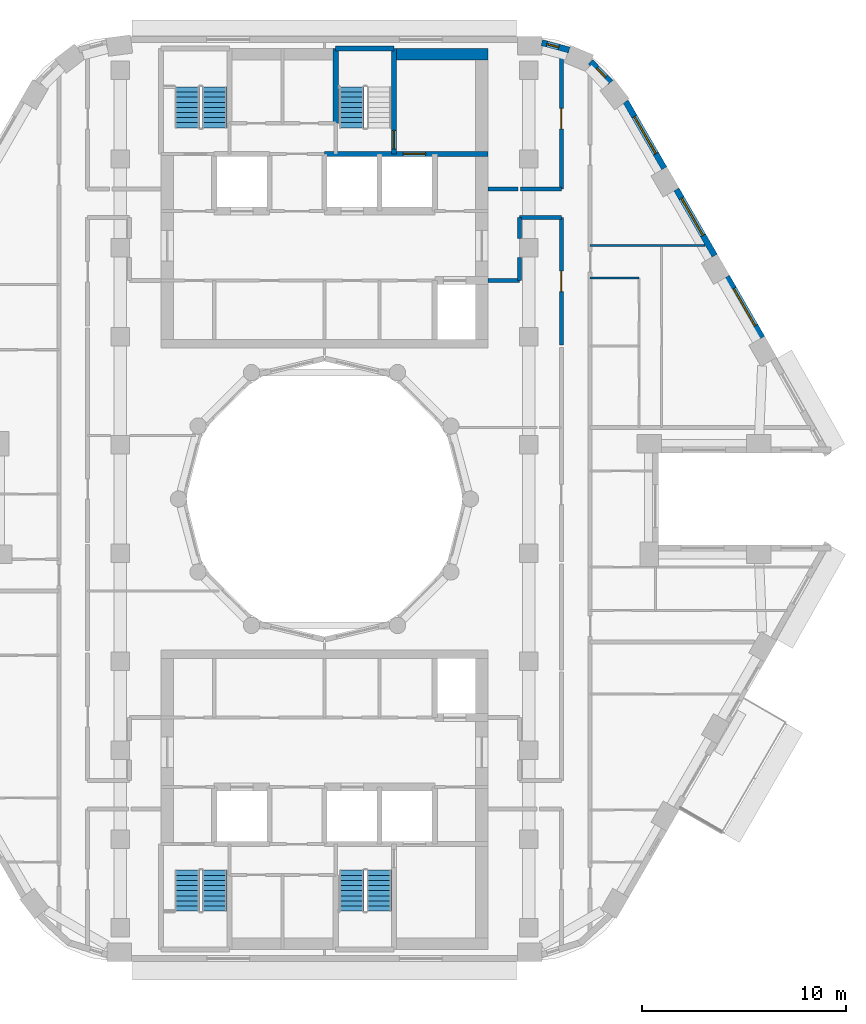
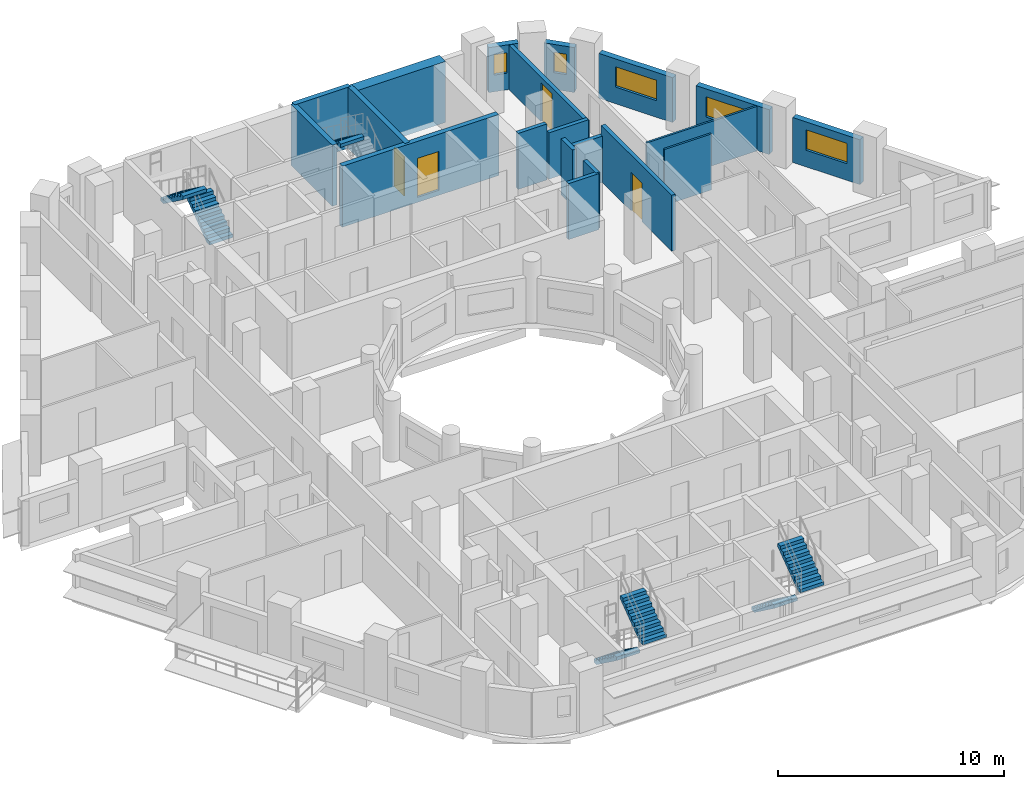
# One storey, part 9 of 16: 20 walls, 7 stair flights, 5 windows, 4 doors, 9 openings, 4 elements without a shape of their own.
"""IFC4 building model written with IfcOpenShell, lengths in metres."""

from ifc_helpers import new_model, si_unit, direction, frame, frame_2d, origin, place, context, subcontext, project, spatial, polyline, rectangle, outline, extrude, material, layer, layer_set, type_object, element, fill, aggregate, save


model = new_model("IFC4")

# Units and contexts
model_context = context("Model", 3, precision=1e-05, world=origin(), true_north=direction((0.0, 1.0)))
body_context = subcontext(model_context, "Body", "Model", "MODEL_VIEW")
ifc_project = project(units=[si_unit("LENGTHUNIT", "METRE"), si_unit("AREAUNIT", "SQUARE_METRE"), si_unit("VOLUMEUNIT", "CUBIC_METRE"), si_unit("PLANEANGLEUNIT", "RADIAN"), si_unit("MASSUNIT", "GRAM", prefix="KILO")], contexts=[model_context])

# Site, building, storey
site_placement = place(None, origin())
site = spatial("IfcSite", under=ifc_project, at=site_placement, CompositionType="ELEMENT")
building_placement = place(site_placement, origin())
building = spatial("IfcBuilding", under=site, at=building_placement, Name="Nakaniwa Court", CompositionType="ELEMENT")
storey_placement = place(building_placement, frame((0.0, 0.0, 193.199951171875)))
storey = spatial("IfcBuildingStorey", under=building, at=storey_placement, Name="L50", CompositionType="ELEMENT", Elevation=193.199951171875)

# Wall, opening, door
ifc_material_1 = material(Name="Acoustic double stud partition")
ifc_layer_1 = layer(ifc_material_1, 0.199951171875)
ifc_layer_set_1 = layer_set([ifc_layer_1], Name="Acoustic double stud partition")
wall_type_1 = type_object("IfcWallType", Name="Acoustic double stud partition 200", PredefinedType="PARTITIONING", material=ifc_layer_set_1)
wall_1_placement = place(storey_placement, frame((91.60009765625, 87.537109375, 0.0), z_axis=(0.0, 0.0, 1.0), x_axis=(0.0, 1.0, 0.0)))
wall_1 = element("IfcWall", 1, at=wall_1_placement, inside=storey, type_object=wall_type_1, Name="Partition PW-073", PredefinedType="PARTITIONING", context=body_context, shape_type="SweptSolid", body=[
    extrude(rectangle(XDim=6.23779296875, YDim=0.199951171875, at=frame_2d((3.118896484375, 0.0))), origin(), (0.0, 0.0, 1.0), 3.025146484375),
])
opening_1_placement = place(wall_1_placement, frame((2.6201171875, 0.0, 0.0)))
opening_1 = element("IfcOpeningElement", 2, at=opening_1_placement, cuts=wall_1, Name="Opening D-02-03", PredefinedType="OPENING", context=body_context, shape_type="SweptSolid", body=[
    extrude(rectangle(XDim=1.0, YDim=2.10009765625, at=frame_2d((0.5, 1.050048828125))), frame((0.0, 0.10986328125, 0.0), z_axis=(0.0, -1.0, 0.0), x_axis=(1.0, 0.0, 0.0)), (0.0, 0.0, 1.0), 0.219970703125),
])
ifc_material_2 = material(Name="Solid core timber door set, black veneer", Category="wood")
door_type_1 = type_object("IfcDoorType", Name="Internal door 1000", OperationType="NOTDEFINED", PredefinedType="DOOR", material=ifc_material_2)
door_1_placement = place(opening_1_placement, origin())
door_1 = element("IfcDoor", 3, at=door_1_placement, inside=storey, type_object=door_type_1, Name="Door D-02-03 L50-036", OperationType="SINGLE_SWING_LEFT", OverallHeight=2.10009765625, OverallWidth=1.0, PredefinedType="DOOR", context=body_context, shape_type="SweptSolid", body=[
    extrude(rectangle(XDim=1.0, YDim=2.10009765625, at=frame_2d((0.5, 1.050048828125))), frame((0.0, 0.02490234375, 0.0), z_axis=(0.0, -1.0, 0.0), x_axis=(1.0, 0.0, 0.0)), (0.0, 0.0, 1.0), 0.050048828125),
])
fill(opening_1, door_1)

wall_2_placement = place(storey_placement, frame((91.60009765625, 95.175048828125, 0.0), z_axis=(0.0, 0.0, 1.0), x_axis=(0.0, 1.0, 0.0)))
wall_2 = element("IfcWall", 4, at=wall_2_placement, inside=storey, type_object=wall_type_1, Name="Partition PW-074", PredefinedType="PARTITIONING", context=body_context, shape_type="SweptSolid", body=[
    extrude(rectangle(XDim=6.898681640625, YDim=0.199951171875, at=frame_2d((3.44921875, 0.0))), origin(), (0.0, 0.0, 1.0), 2.405029296875),
])
opening_2_placement = place(wall_2_placement, frame((2.949951171875, 0.0, 0.0)))
opening_2 = element("IfcOpeningElement", 5, at=opening_2_placement, cuts=wall_2, Name="Opening D-02-04", PredefinedType="OPENING", context=body_context, shape_type="SweptSolid", body=[
    extrude(rectangle(XDim=1.0, YDim=2.10009765625, at=frame_2d((0.5, 1.050048828125))), frame((0.0, 0.10986328125, 0.0), z_axis=(0.0, -1.0, 0.0), x_axis=(1.0, 0.0, 0.0)), (0.0, 0.0, 1.0), 0.219970703125),
])
door_2_placement = place(opening_2_placement, origin())
door_2 = element("IfcDoor", 6, at=door_2_placement, inside=storey, type_object=door_type_1, Name="Door D-02-04 L50-041", OperationType="SINGLE_SWING_RIGHT", OverallHeight=2.10009765625, OverallWidth=1.0, PredefinedType="DOOR", context=body_context, shape_type="SweptSolid", body=[
    extrude(rectangle(XDim=1.0, YDim=2.10009765625, at=frame_2d((0.5, 1.050048828125))), frame((0.0, 0.02490234375, 0.0), z_axis=(0.0, -1.0, 0.0), x_axis=(1.0, 0.0, 0.0)), (0.0, 0.0, 1.0), 0.050048828125),
])
fill(opening_2, door_2)

# Walls
wall_3_placement = place(storey_placement, frame((89.550048828125, 90.699951171875, 0.0), z_axis=(0.0, 0.0, 1.0), x_axis=(0.0, 1.0, 0.0)))
element("IfcWall", 7, at=wall_3_placement, inside=storey, type_object=wall_type_1, Name="Partition PW-084", PredefinedType="PARTITIONING", context=body_context, shape_type="SweptSolid", body=[
    extrude(rectangle(XDim=1.1328125, YDim=0.199951171875, at=frame_2d((0.56640625, 0.0))), origin(), (0.0, 0.0, 1.0), 3.025146484375),
])
wall_4_placement = place(storey_placement, frame((89.550048828125, 92.76708984375, 0.0), z_axis=(0.0, 0.0, 1.0), x_axis=(0.0, 1.0, 0.0)))
element("IfcWall", 8, at=wall_4_placement, inside=storey, type_object=wall_type_1, Name="Partition PW-085", PredefinedType="PARTITIONING", context=body_context, shape_type="SweptSolid", body=[
    extrude(rectangle(XDim=1.0078125, YDim=0.199951171875, at=frame_2d((0.50390625, 0.0))), origin(), (0.0, 0.0, 1.0), 3.025146484375),
])
wall_5_placement = place(storey_placement, frame((89.550048828125, 93.77490234375, 0.0), z_axis=(0.0, 0.0, 1.0), x_axis=(1.0, 0.0, 0.0)))
element("IfcWall", 9, at=wall_5_placement, inside=storey, type_object=wall_type_1, Name="Partition PW-089", PredefinedType="PARTITIONING", context=body_context, shape_type="SweptSolid", body=[
    extrude(rectangle(XDim=2.050048828125, YDim=0.199951171875, at=frame_2d((1.02490234375, 0.0))), origin(), (0.0, 0.0, 1.0), 2.505126953125),
])
wall_6_placement = place(storey_placement, frame((88.0, 90.699951171875, 0.0), z_axis=(0.0, 0.0, 1.0), x_axis=(1.0, 0.0, 0.0)))
element("IfcWall", 10, at=wall_6_placement, inside=storey, type_object=wall_type_1, Name="Partition PW-091", PredefinedType="PARTITIONING", context=body_context, shape_type="SweptSolid", body=[
    extrude(rectangle(XDim=1.550048828125, YDim=0.199951171875, at=frame_2d((0.77490234375, 0.0))), origin(), (0.0, 0.0, 1.0), 3.025146484375),
])
wall_7_placement = place(storey_placement, frame((88.0, 95.175048828125, 0.0), z_axis=(0.0, 0.0, 1.0), x_axis=(1.0, 0.0, 0.0)))
element("IfcWall", 11, at=wall_7_placement, inside=storey, type_object=wall_type_1, Name="Partition PW-094", PredefinedType="PARTITIONING", context=body_context, shape_type="SweptSolid", body=[
    extrude(rectangle(XDim=1.472900390625, YDim=0.199951171875, at=frame_2d((0.736328125, 0.0))), origin(), (0.0, 0.0, 1.0), 3.025146484375),
])
wall_8_placement = place(storey_placement, frame((89.587158203125, 95.175048828125, 0.0), z_axis=(0.0, 0.0, 1.0), x_axis=(1.0, 0.0, 0.0)))
element("IfcWall", 12, at=wall_8_placement, inside=storey, type_object=wall_type_1, Name="Partition PW-095", PredefinedType="PARTITIONING", context=body_context, shape_type="SweptSolid", body=[
    extrude(rectangle(XDim=2.012939453125, YDim=0.199951171875, at=frame_2d((1.00634765625, 0.0))), origin(), (0.0, 0.0, 1.0), 2.505126953125),
])

# Wall, opening, window
ifc_material_3 = material(Name="Charcoal ceramic cladding")
ifc_layer_2 = layer(ifc_material_3, 0.02, Name="Ceramic cladding")
ifc_material_4 = material(Name="Ventilated air cavity")
ifc_layer_3 = layer(ifc_material_4, 0.04, ventilated=True, Name="Ventilated cavity")
ifc_material_5 = material(Name="Mineral wool insulation")
ifc_layer_4 = layer(ifc_material_5, 0.1, Name="Insulation")
ifc_material_6 = material(Name="Cement bonded sheathing board")
ifc_layer_5 = layer(ifc_material_6, 0.012, Name="Sheathing")
ifc_material_7 = material(Name="Cold-formed galvanised stud frame with mineral wool infill")
ifc_layer_6 = layer(ifc_material_7, 0.1, Name="Stud frame")
ifc_material_8 = material(Name="Fire-rated gypsum plasterboard lining")
ifc_layer_7 = layer(ifc_material_8, 0.028, Name="Lining")
ifc_layer_set_2 = layer_set([ifc_layer_2, ifc_layer_3, ifc_layer_4, ifc_layer_5, ifc_layer_6, ifc_layer_7], Name="Charcoal ceramic faced external wall system")
wall_type_2 = type_object("IfcWallType", Name="Black ceramic faced external wall 300", PredefinedType="SOLIDWALL", material=ifc_layer_set_2)
wall_9_placement = place(storey_placement, frame((101.420654296875, 87.898193359375, 0.0), z_axis=(0.0, 0.0, 1.0), x_axis=(-0.499955427682, 0.866051136095, 0.0)))
wall_9 = element("IfcWall", 13, at=wall_9_placement, inside=storey, type_object=wall_type_2, Name="L50 external wall 03", PredefinedType="SOLIDWALL", context=body_context, shape_type="SweptSolid", body=[
    extrude(rectangle(XDim=3.447021484375, YDim=0.300048828125, at=frame_2d((1.7236328125, 0.0))), origin(), (0.0, 0.0, 1.0), 2.425048828125),
])
opening_3_placement = place(wall_9_placement, frame((0.673583984375, 0.0, 0.89990234375)))
opening_3 = element("IfcOpeningElement", 14, at=opening_3_placement, cuts=wall_9, Name="Opening W7.05", PredefinedType="OPENING", context=body_context, shape_type="SweptSolid", body=[
    extrude(rectangle(XDim=2.10009765625, YDim=1.10009765625, at=frame_2d((1.050048828125, 0.550048828125))), frame((0.0, 0.159912109375, 0.0), z_axis=(0.0, -1.0, 0.0), x_axis=(1.0, 0.0, 0.0)), (0.0, 0.0, 1.0), 0.320068359375),
])
ifc_material_9 = material(Name="Black anodised aluminium frame with dark low-E laminated double glazing", Category="aluminium")
window_type_1 = type_object("IfcWindowType", Name="Dark glass window 2100x1100 sill 900", PartitioningType="SINGLE_PANEL", PredefinedType="WINDOW", material=ifc_material_9)
window_1_placement = place(opening_3_placement, origin())
window_1 = element("IfcWindow", 15, at=window_1_placement, inside=storey, type_object=window_type_1, Name="L50 living window 03-0", OverallHeight=1.10009765625, OverallWidth=2.10009765625, PartitioningType="SINGLE_PANEL", PredefinedType="WINDOW", context=body_context, shape_type="SweptSolid", body=[
    extrude(rectangle(XDim=2.10009765625, YDim=1.10009765625, at=frame_2d((1.050048828125, 0.550048828125))), frame((0.0, 0.030029296875, 0.0), z_axis=(0.0, -1.0, 0.0), x_axis=(1.0, 0.0, 0.0)), (0.0, 0.0, 1.0), 0.06005859375),
])
fill(opening_3, window_1)

wall_10_placement = place(storey_placement, frame((99.101318359375, 91.916015625, 0.0), z_axis=(0.0, 0.0, 1.0), x_axis=(-0.500059225181, 0.86599120741, 0.0)))
wall_10 = element("IfcWall", 16, at=wall_10_placement, inside=storey, type_object=wall_type_2, Name="L50 external wall 04", PredefinedType="SOLIDWALL", context=body_context, shape_type="SweptSolid", body=[
    extrude(rectangle(XDim=3.744140625, YDim=0.300048828125, at=frame_2d((1.8720703125, 0.0))), origin(), (0.0, 0.0, 1.0), 2.425048828125),
])
opening_4_placement = place(wall_10_placement, frame((1.145263671875, 0.0, 0.89990234375)))
opening_4 = element("IfcOpeningElement", 17, at=opening_4_placement, cuts=wall_10, Name="Opening W7.06", PredefinedType="OPENING", context=body_context, shape_type="SweptSolid", body=[
    extrude(rectangle(XDim=2.10009765625, YDim=1.10009765625, at=frame_2d((1.050048828125, 0.550048828125))), frame((0.0, 0.159912109375, 0.0), z_axis=(0.0, -1.0, 0.0), x_axis=(1.0, 0.0, 0.0)), (0.0, 0.0, 1.0), 0.320068359375),
])
window_2_placement = place(opening_4_placement, origin())
window_2 = element("IfcWindow", 18, at=window_2_placement, inside=storey, type_object=window_type_1, Name="L50 habitable room window 04-1", OverallHeight=1.10009765625, OverallWidth=2.10009765625, PartitioningType="SINGLE_PANEL", PredefinedType="WINDOW", context=body_context, shape_type="SweptSolid", body=[
    extrude(rectangle(XDim=2.10009765625, YDim=1.10009765625, at=frame_2d((1.050048828125, 0.550048828125))), frame((0.0, 0.030029296875, 0.0), z_axis=(0.0, -1.0, 0.0), x_axis=(1.0, 0.0, 0.0)), (0.0, 0.0, 1.0), 0.06005859375),
])
fill(opening_4, window_2)

wall_11_placement = place(storey_placement, frame((96.633056640625, 96.190673828125, 0.0), z_axis=(0.0, 0.0, 1.0), x_axis=(-0.499961087031, 0.866047869032, 0.0)))
wall_11 = element("IfcWall", 19, at=wall_11_placement, inside=storey, type_object=wall_type_2, Name="L50 external wall 05", PredefinedType="SOLIDWALL", context=body_context, shape_type="SweptSolid", body=[
    extrude(rectangle(XDim=3.778564453125, YDim=0.300048828125, at=frame_2d((1.88916015625, 0.0))), origin(), (0.0, 0.0, 1.0), 2.425048828125),
])
opening_5_placement = place(wall_11_placement, frame((0.827880859375, 0.0, 0.89990234375)))
opening_5 = element("IfcOpeningElement", 20, at=opening_5_placement, cuts=wall_11, Name="Opening W7.07", PredefinedType="OPENING", context=body_context, shape_type="SweptSolid", body=[
    extrude(rectangle(XDim=2.10009765625, YDim=1.10009765625, at=frame_2d((1.050048828125, 0.550048828125))), frame((0.0, 0.159912109375, 0.0), z_axis=(0.0, -1.0, 0.0), x_axis=(1.0, 0.0, 0.0)), (0.0, 0.0, 1.0), 0.320068359375),
])
window_3_placement = place(opening_5_placement, origin())
window_3 = element("IfcWindow", 21, at=window_3_placement, inside=storey, type_object=window_type_1, Name="L50 habitable room window 05-0", OverallHeight=1.10009765625, OverallWidth=2.10009765625, PartitioningType="SINGLE_PANEL", PredefinedType="WINDOW", context=body_context, shape_type="SweptSolid", body=[
    extrude(rectangle(XDim=2.10009765625, YDim=1.10009765625, at=frame_2d((1.050048828125, 0.550048828125))), frame((0.0, 0.030029296875, 0.0), z_axis=(0.0, -1.0, 0.0), x_axis=(1.0, 0.0, 0.0)), (0.0, 0.0, 1.0), 0.06005859375),
])
fill(opening_5, window_3)

wall_12_placement = place(storey_placement, frame((94.009033203125, 100.40185546875, 0.0), z_axis=(0.0, 0.0, 1.0), x_axis=(-0.69817596362, 0.715926199984, 0.0)))
wall_12 = element("IfcWall", 22, at=wall_12_placement, inside=storey, type_object=wall_type_2, Name="L50 external wall 06", PredefinedType="SOLIDWALL", context=body_context, shape_type="SweptSolid", body=[
    extrude(rectangle(XDim=1.40283203125, YDim=0.300048828125, at=frame_2d((0.701416015625, 0.0))), origin(), (0.0, 0.0, 1.0), 2.425048828125),
])
opening_6_placement = place(wall_12_placement, frame((0.35986328125, 0.0, 0.89990234375)))
opening_6 = element("IfcOpeningElement", 23, at=opening_6_placement, cuts=wall_12, Name="Opening W8.08", PredefinedType="OPENING", context=body_context, shape_type="SweptSolid", body=[
    extrude(rectangle(XDim=0.60009765625, YDim=1.10009765625, at=frame_2d((0.300048828125, 0.550048828125))), frame((0.0, 0.159912109375, 0.0), z_axis=(0.0, -1.0, 0.0), x_axis=(1.0, 0.0, 0.0)), (0.0, 0.0, 1.0), 0.320068359375),
])
window_type_2 = type_object("IfcWindowType", Name="Dark glass window 600x1100 sill 900", PartitioningType="SINGLE_PANEL", PredefinedType="WINDOW", material=ifc_material_9)
window_4_placement = place(opening_6_placement, origin())
window_4 = element("IfcWindow", 24, at=window_4_placement, inside=storey, type_object=window_type_2, Name="L50 habitable room window 06-0", OverallHeight=1.10009765625, OverallWidth=0.60009765625, PartitioningType="SINGLE_PANEL", PredefinedType="WINDOW", context=body_context, shape_type="SweptSolid", body=[
    extrude(rectangle(XDim=0.60009765625, YDim=1.10009765625, at=frame_2d((0.300048828125, 0.550048828125))), frame((0.0, 0.030029296875, 0.0), z_axis=(0.0, -1.0, 0.0), x_axis=(1.0, 0.0, 0.0)), (0.0, 0.0, 1.0), 0.06005859375),
])
fill(opening_6, window_4)

wall_13_placement = place(storey_placement, frame((91.977294921875, 101.981201171875, 0.0), z_axis=(0.0, 0.0, 1.0), x_axis=(-0.965315341278, 0.261086751661, 0.0)))
wall_13 = element("IfcWall", 25, at=wall_13_placement, inside=storey, type_object=wall_type_2, Name="L50 external wall 07", PredefinedType="SOLIDWALL", context=body_context, shape_type="SweptSolid", body=[
    extrude(rectangle(XDim=1.384033203125, YDim=0.300048828125, at=frame_2d((0.69189453125, 0.0))), origin(), (0.0, 0.0, 1.0), 2.425048828125),
])
opening_7_placement = place(wall_13_placement, frame((0.529296875, 0.0, 0.89990234375)))
opening_7 = element("IfcOpeningElement", 26, at=opening_7_placement, cuts=wall_13, Name="Opening W8.09", PredefinedType="OPENING", context=body_context, shape_type="SweptSolid", body=[
    extrude(rectangle(XDim=0.60009765625, YDim=1.10009765625, at=frame_2d((0.300048828125, 0.550048828125))), frame((0.0, 0.159912109375, 0.0), z_axis=(0.0, -1.0, 0.0), x_axis=(1.0, 0.0, 0.0)), (0.0, 0.0, 1.0), 0.320068359375),
])
window_5_placement = place(opening_7_placement, origin())
window_5 = element("IfcWindow", 27, at=window_5_placement, inside=storey, type_object=window_type_2, Name="L50 habitable room window 07-1", OverallHeight=1.10009765625, OverallWidth=0.60009765625, PartitioningType="SINGLE_PANEL", PredefinedType="WINDOW", context=body_context, shape_type="SweptSolid", body=[
    extrude(rectangle(XDim=0.60009765625, YDim=1.10009765625, at=frame_2d((0.300048828125, 0.550048828125))), frame((0.0, 0.030029296875, 0.0), z_axis=(0.0, -1.0, 0.0), x_axis=(1.0, 0.0, 0.0)), (0.0, 0.0, 1.0), 0.06005859375),
])
fill(opening_7, window_5)

# Walls
ifc_material_10 = material(Name="Concrete C80/100", Category="concrete")
ifc_layer_8 = layer(ifc_material_10, 0.25)
ifc_layer_set_3 = layer_set([ifc_layer_8], Name="Concrete C80/100")
wall_type_3 = type_object("IfcWallType", Name="Concrete core wall 250 C80", PredefinedType="SHEAR", material=ifc_layer_set_3)
wall_14_placement = place(storey_placement, frame((80.550048828125, 102.050048828125, -0.27490234375), z_axis=(0.0, 0.0, 1.0), x_axis=(1.0, 0.0, 0.0)))
element("IfcWall", 28, at=wall_14_placement, inside=storey, type_object=wall_type_3, Name="Core wall SW-26", PredefinedType="SHEAR", context=body_context, shape_type="SweptSolid", body=[
    extrude(rectangle(XDim=2.849853515625, YDim=0.25, at=frame_2d((1.4248046875, 0.0))), origin(), (0.0, 0.0, 1.0), 3.300048828125),
])
ifc_layer_9 = layer(ifc_material_10, 0.550048828125)
ifc_layer_set_4 = layer_set([ifc_layer_9], Name="Concrete C80/100")
wall_type_4 = type_object("IfcWallType", Name="Concrete core wall 550 C80", PredefinedType="SHEAR", material=ifc_layer_set_4)
wall_15_placement = place(storey_placement, frame((83.39990234375, 101.77490234375, -0.27490234375), z_axis=(0.0, 0.0, 1.0), x_axis=(1.0, 0.0, 0.0)))
element("IfcWall", 29, at=wall_15_placement, inside=storey, type_object=wall_type_4, Name="Core wall SW-32", PredefinedType="SHEAR", context=body_context, shape_type="SweptSolid", body=[
    extrude(rectangle(XDim=4.60009765625, YDim=0.550048828125, at=frame_2d((2.300048828125, 0.0))), origin(), (0.0, 0.0, 1.0), 3.300048828125),
])

# Wall, opening, door
ifc_layer_10 = layer(ifc_material_10, 0.25)
ifc_layer_set_5 = layer_set([ifc_layer_10], Name="Concrete C80/100")
wall_type_5 = type_object("IfcWallType", Name="Concrete shaft wall 250 C80", PredefinedType="SHEAR", material=ifc_layer_set_5)
wall_16_placement = place(storey_placement, frame((80.0, 96.89990234375, -0.27490234375), z_axis=(0.0, 0.0, 1.0), x_axis=(1.0, 0.0, 0.0)))
wall_16 = element("IfcWall", 30, at=wall_16_placement, inside=storey, type_object=wall_type_5, Name="Core wall SW-19", PredefinedType="SHEAR", context=body_context, shape_type="SweptSolid", body=[
    extrude(rectangle(XDim=8.0, YDim=0.25, at=frame_2d((4.0, 0.0))), origin(), (0.0, 0.0, 1.0), 3.300048828125),
])
opening_8_placement = place(wall_16_placement, frame((3.84912109375, 0.0, 0.27490234375)))
opening_8 = element("IfcOpeningElement", 31, at=opening_8_placement, cuts=wall_16, Name="Opening LD04", PredefinedType="OPENING", context=body_context, shape_type="SweptSolid", body=[
    extrude(rectangle(XDim=1.10009765625, YDim=2.10009765625, at=frame_2d((0.550048828125, 1.050048828125))), frame((0.0, 0.135009765625, 0.0), z_axis=(0.0, -1.0, 0.0), x_axis=(1.0, 0.0, 0.0)), (0.0, 0.0, 1.0), 0.27001953125),
])
ifc_material_11 = material(Name="Stainless steel sliding lift landing door", Category="steel")
door_type_2 = type_object("IfcDoorType", Name="Lift landing door 1100", OperationType="NOTDEFINED", PredefinedType="DOOR", material=ifc_material_11)
door_3_placement = place(opening_8_placement, origin())
door_3 = element("IfcDoor", 32, at=door_3_placement, inside=storey, type_object=door_type_2, Name="Lift landing door LD04 L50-004", OperationType="SLIDING_TO_LEFT", OverallHeight=2.10009765625, OverallWidth=1.10009765625, PredefinedType="DOOR", context=body_context, shape_type="SweptSolid", body=[
    extrude(rectangle(XDim=1.10009765625, YDim=2.10009765625, at=frame_2d((0.550048828125, 1.050048828125))), frame((0.0, 0.02490234375, 0.0), z_axis=(0.0, -1.0, 0.0), x_axis=(1.0, 0.0, 0.0)), (0.0, 0.0, 1.0), 0.050048828125),
])
fill(opening_8, door_3)

wall_17_placement = place(storey_placement, frame((83.39990234375, 102.050048828125, -0.27490234375), z_axis=(0.0, 0.0, 1.0), x_axis=(0.0, -1.0, 0.0)))
wall_17 = element("IfcWall", 33, at=wall_17_placement, inside=storey, type_object=wall_type_5, Name="Core wall SW-28", PredefinedType="SHEAR", context=body_context, shape_type="SweptSolid", body=[
    extrude(rectangle(XDim=5.150146484375, YDim=0.25, at=frame_2d((2.5751953125, 0.0))), origin(), (0.0, 0.0, 1.0), 3.300048828125),
])
opening_9_placement = place(wall_17_placement, frame((4.0, 0.0, 0.27490234375)))
opening_9 = element("IfcOpeningElement", 34, at=opening_9_placement, cuts=wall_17, Name="Opening D-11-01", PredefinedType="OPENING", context=body_context, shape_type="SweptSolid", body=[
    extrude(rectangle(XDim=0.89990234375, YDim=2.10009765625, at=frame_2d((0.449951171875, 1.050048828125))), frame((0.0, 0.135009765625, 0.0), z_axis=(0.0, -1.0, 0.0), x_axis=(1.0, 0.0, 0.0)), (0.0, 0.0, 1.0), 0.27001953125),
])
ifc_material_12 = material(Name="Fire rated steel door set", Category="steel")
door_type_3 = type_object("IfcDoorType", Name="Stair door 900", OperationType="NOTDEFINED", PredefinedType="DOOR", material=ifc_material_12)
door_4_placement = place(opening_9_placement, origin())
door_4 = element("IfcDoor", 35, at=door_4_placement, inside=storey, type_object=door_type_3, Name="Door D-11-01 L50-012", OperationType="SINGLE_SWING_RIGHT", OverallHeight=2.10009765625, OverallWidth=0.89990234375, PredefinedType="DOOR", context=body_context, shape_type="SweptSolid", body=[
    extrude(rectangle(XDim=0.89990234375, YDim=2.10009765625, at=frame_2d((0.449951171875, 1.050048828125))), frame((0.0, 0.02490234375, 0.0), z_axis=(0.0, -1.0, 0.0), x_axis=(1.0, 0.0, 0.0)), (0.0, 0.0, 1.0), 0.050048828125),
])
fill(opening_9, door_4)

# Walls
wall_18_placement = place(storey_placement, frame((80.550048828125, 98.39697265625, -0.27490234375), z_axis=(0.0, 0.0, 1.0), x_axis=(0.0, 1.0, 0.0)))
element("IfcWall", 36, at=wall_18_placement, inside=storey, type_object=wall_type_5, Name="Core wall SW-30", PredefinedType="SHEAR", context=body_context, shape_type="SweptSolid", body=[
    extrude(rectangle(XDim=3.653076171875, YDim=0.25, at=frame_2d((1.82666015625, 0.0))), origin(), (0.0, 0.0, 1.0), 3.300048828125),
])
ifc_material_13 = material(Name="Single stud plasterboard partition")
ifc_layer_11 = layer(ifc_material_13, 0.10009765625)
ifc_layer_set_6 = layer_set([ifc_layer_11], Name="Single stud plasterboard partition")
wall_type_6 = type_object("IfcWallType", Name="Single stud plasterboard partition 100", PredefinedType="PARTITIONING", material=ifc_layer_set_6)
wall_19_placement = place(storey_placement, frame((93.0009765625, 90.81201171875, 0.0), z_axis=(0.0, 0.0, 1.0), x_axis=(1.0, 0.0, 0.0)))
element("IfcWall", 37, at=wall_19_placement, inside=storey, type_object=wall_type_6, Name="Partition PW-125", PredefinedType="PARTITIONING", context=body_context, shape_type="SweptSolid", body=[
    extrude(rectangle(XDim=2.39990234375, YDim=0.10009765625, at=frame_2d((1.199951171875, 0.0))), origin(), (0.0, 0.0, 1.0), 3.025146484375),
])
wall_20_placement = place(storey_placement, frame((93.0009765625, 92.412109375, 0.0), z_axis=(0.0, 0.0, 1.0), x_axis=(1.0, 0.0, 0.0)))
element("IfcWall", 38, at=wall_20_placement, inside=storey, type_object=wall_type_6, Name="Partition PW-127", PredefinedType="PARTITIONING", context=body_context, shape_type="SweptSolid", body=[
    extrude(rectangle(XDim=5.64013671875, YDim=0.10009765625, at=frame_2d((2.820068359375, 0.0))), origin(), (0.0, 0.0, 1.0), 2.405029296875),
])

# Stair, stair flights
stair_type = type_object("IfcStairType", Name="Dog leg stair 1200 wide 18 risers", PredefinedType="HALF_TURN_STAIR", material=ifc_material_10)
stair_1_placement = place(storey_placement, origin())
stair_1 = element("IfcStair", 39, at=stair_1_placement, inside=storey, type_object=stair_type, Name="L50 Stair ST1", PredefinedType="HALF_TURN_STAIR")
stair_flight_type = type_object("IfcStairFlightType", Name="Stair flight 1200 wide 9 risers", PredefinedType="STRAIGHT", material=ifc_material_10)
stair_flight_1_placement = place(storey_placement, frame((74.625, 98.175048828125, 0.0), z_axis=(0.0, 0.0, 1.0), x_axis=(0.0, 1.0, 0.0)))
stair_flight_1 = element("IfcStairFlight", 40, at=stair_flight_1_placement, type_object=stair_flight_type, Name="ST1 flight 1", NumberOfRisers=9, NumberOfTreads=8, PredefinedType="STRAIGHT", RiserHeight=0.183333333, TreadLength=0.25, context=body_context, shape_type="SweptSolid", body=[
    extrude(outline(polyline([(0.0, 0.0), (0.0, 0.026123046875), (0.0, 0.052490234375), (0.0, 0.07861328125), (0.0, 0.104736328125), (0.0, 0.130859375), (0.0, 0.1572265625), (0.0, 0.183349609375), (0.25, 0.183349609375), (0.25, 0.36669921875), (0.5, 0.36669921875), (0.5, 0.550048828125), (0.75, 0.550048828125), (0.75, 0.7333984375), (1.0, 0.7333984375), (1.0, 0.916748046875), (1.25, 0.916748046875), (1.25, 1.10009765625), (1.5, 1.10009765625), (1.5, 1.283447265625), (1.75, 1.283447265625), (1.75, 1.466552734375), (2.0, 1.466552734375), (2.0, 1.64990234375), (2.0, 1.59716796875), (2.0, 1.54443359375), (2.0, 1.49169921875), (2.0, 1.43896484375), (2.0, 1.38623046875), (2.0, 1.33349609375), (2.0, 1.28076171875), (0.25341796875, 0.0), (0.0, 0.0)])), frame((0.0, 0.60009765625, 0.0), z_axis=(0.0, -1.0, 0.0), x_axis=(1.0, 0.0, 0.0)), (0.0, 0.0, 1.0), 1.199951171875),
])
stair_flight_2_placement = place(storey_placement, frame((73.27490234375, 100.175048828125, 1.650146484375), z_axis=(0.0, 0.0, 1.0), x_axis=(0.0, -1.0, 0.0)))
stair_flight_2 = element("IfcStairFlight", 41, at=stair_flight_2_placement, type_object=stair_flight_type, Name="ST1 flight 2", NumberOfRisers=9, NumberOfTreads=8, PredefinedType="STRAIGHT", RiserHeight=0.183333333, TreadLength=0.25, context=body_context, shape_type="SweptSolid", body=[
    extrude(outline(polyline([(0.0, 0.0), (0.0, 0.026123046875), (0.0, 0.052490234375), (0.0, 0.07861328125), (0.0, 0.104736328125), (0.0, 0.130859375), (0.0, 0.1572265625), (0.0, 0.183349609375), (0.25, 0.183349609375), (0.25, 0.36669921875), (0.5, 0.36669921875), (0.5, 0.550048828125), (0.75, 0.550048828125), (0.75, 0.7333984375), (1.0, 0.7333984375), (1.0, 0.916748046875), (1.25, 0.916748046875), (1.25, 1.10009765625), (1.5, 1.10009765625), (1.5, 1.283447265625), (1.75, 1.283447265625), (1.75, 1.466552734375), (2.0, 1.466552734375), (2.0, 1.64990234375), (2.0, 1.59716796875), (2.0, 1.54443359375), (2.0, 1.49169921875), (2.0, 1.43896484375), (2.0, 1.38623046875), (2.0, 1.33349609375), (2.0, 1.28076171875), (0.25341796875, 0.0), (0.0, 0.0)])), frame((0.0, 0.60009765625, 0.0), z_axis=(0.0, -1.0, 0.0), x_axis=(1.0, 0.0, 0.0)), (0.0, 0.0, 1.0), 1.199951171875),
])
aggregate(stair_1, [stair_flight_1, stair_flight_2])

# Stair, stair flight
stair_2_placement = place(storey_placement, origin())
stair_2 = element("IfcStair", 42, at=stair_2_placement, inside=storey, type_object=stair_type, Name="L50 Stair ST2", PredefinedType="HALF_TURN_STAIR")
stair_flight_3_placement = place(storey_placement, frame((81.324951171875, 100.175048828125, 1.650146484375), z_axis=(0.0, 0.0, 1.0), x_axis=(0.0, -1.0, 0.0)))
stair_flight_3 = element("IfcStairFlight", 43, at=stair_flight_3_placement, type_object=stair_flight_type, Name="ST2 flight 2", NumberOfRisers=9, NumberOfTreads=8, PredefinedType="STRAIGHT", RiserHeight=0.183333333, TreadLength=0.25, context=body_context, shape_type="SweptSolid", body=[
    extrude(outline(polyline([(0.0, 0.0), (0.0, 0.026123046875), (0.0, 0.052490234375), (0.0, 0.07861328125), (0.0, 0.104736328125), (0.0, 0.130859375), (0.0, 0.1572265625), (0.0, 0.183349609375), (0.25, 0.183349609375), (0.25, 0.36669921875), (0.5, 0.36669921875), (0.5, 0.550048828125), (0.75, 0.550048828125), (0.75, 0.7333984375), (1.0, 0.7333984375), (1.0, 0.916748046875), (1.25, 0.916748046875), (1.25, 1.10009765625), (1.5, 1.10009765625), (1.5, 1.283447265625), (1.75, 1.283447265625), (1.75, 1.466552734375), (2.0, 1.466552734375), (2.0, 1.64990234375), (2.0, 1.59716796875), (2.0, 1.54443359375), (2.0, 1.49169921875), (2.0, 1.43896484375), (2.0, 1.38623046875), (2.0, 1.33349609375), (2.0, 1.28076171875), (0.25341796875, 0.0), (0.0, 0.0)])), frame((0.0, 0.60009765625, 0.0), z_axis=(0.0, -1.0, 0.0), x_axis=(1.0, 0.0, 0.0)), (0.0, 0.0, 1.0), 1.199951171875),
])
aggregate(stair_2, [stair_flight_3])

# Stair, stair flights
stair_3_placement = place(storey_placement, origin())
stair_3 = element("IfcStair", 44, at=stair_3_placement, inside=storey, type_object=stair_type, Name="L50 Stair ST3", PredefinedType="HALF_TURN_STAIR")
stair_flight_4_placement = place(storey_placement, frame((73.27490234375, 61.824951171875, 0.0), z_axis=(0.0, 0.0, 1.0), x_axis=(0.0, -1.0, 0.0)))
stair_flight_4 = element("IfcStairFlight", 45, at=stair_flight_4_placement, type_object=stair_flight_type, Name="ST3 flight 1", NumberOfRisers=9, NumberOfTreads=8, PredefinedType="STRAIGHT", RiserHeight=0.183333333, TreadLength=0.25, context=body_context, shape_type="SweptSolid", body=[
    extrude(outline(polyline([(0.0, 0.0), (0.0, 0.026123046875), (0.0, 0.052490234375), (0.0, 0.07861328125), (0.0, 0.104736328125), (0.0, 0.130859375), (0.0, 0.1572265625), (0.0, 0.183349609375), (0.25, 0.183349609375), (0.25, 0.36669921875), (0.5, 0.36669921875), (0.5, 0.550048828125), (0.75, 0.550048828125), (0.75, 0.7333984375), (1.0, 0.7333984375), (1.0, 0.916748046875), (1.25, 0.916748046875), (1.25, 1.10009765625), (1.5, 1.10009765625), (1.5, 1.283447265625), (1.75, 1.283447265625), (1.75, 1.466552734375), (2.0, 1.466552734375), (2.0, 1.64990234375), (2.0, 1.59716796875), (2.0, 1.54443359375), (2.0, 1.49169921875), (2.0, 1.43896484375), (2.0, 1.38623046875), (2.0, 1.33349609375), (2.0, 1.28076171875), (0.25341796875, 0.0), (0.0, 0.0)])), frame((0.0, 0.60009765625, 0.0), z_axis=(0.0, -1.0, 0.0), x_axis=(1.0, 0.0, 0.0)), (0.0, 0.0, 1.0), 1.199951171875),
])
stair_flight_5_placement = place(storey_placement, frame((74.625, 59.824951171875, 1.650146484375), z_axis=(0.0, 0.0, 1.0), x_axis=(0.0, 1.0, 0.0)))
stair_flight_5 = element("IfcStairFlight", 46, at=stair_flight_5_placement, type_object=stair_flight_type, Name="ST3 flight 2", NumberOfRisers=9, NumberOfTreads=8, PredefinedType="STRAIGHT", RiserHeight=0.183333333, TreadLength=0.25, context=body_context, shape_type="SweptSolid", body=[
    extrude(outline(polyline([(0.0, 0.0), (0.0, 0.026123046875), (0.0, 0.052490234375), (0.0, 0.07861328125), (0.0, 0.104736328125), (0.0, 0.130859375), (0.0, 0.1572265625), (0.0, 0.183349609375), (0.25, 0.183349609375), (0.25, 0.36669921875), (0.5, 0.36669921875), (0.5, 0.550048828125), (0.75, 0.550048828125), (0.75, 0.7333984375), (1.0, 0.7333984375), (1.0, 0.916748046875), (1.25, 0.916748046875), (1.25, 1.10009765625), (1.5, 1.10009765625), (1.5, 1.283447265625), (1.75, 1.283447265625), (1.75, 1.466552734375), (2.0, 1.466552734375), (2.0, 1.64990234375), (2.0, 1.59716796875), (2.0, 1.54443359375), (2.0, 1.49169921875), (2.0, 1.43896484375), (2.0, 1.38623046875), (2.0, 1.33349609375), (2.0, 1.28076171875), (0.25341796875, 0.0), (0.0, 0.0)])), frame((0.0, 0.60009765625, 0.0), z_axis=(0.0, -1.0, 0.0), x_axis=(1.0, 0.0, 0.0)), (0.0, 0.0, 1.0), 1.199951171875),
])
aggregate(stair_3, [stair_flight_4, stair_flight_5])

stair_4_placement = place(storey_placement, origin())
stair_4 = element("IfcStair", 47, at=stair_4_placement, inside=storey, type_object=stair_type, Name="L50 Stair ST4", PredefinedType="HALF_TURN_STAIR")
stair_flight_6_placement = place(storey_placement, frame((81.324951171875, 61.824951171875, 0.0), z_axis=(0.0, 0.0, 1.0), x_axis=(0.0, -1.0, 0.0)))
stair_flight_6 = element("IfcStairFlight", 48, at=stair_flight_6_placement, type_object=stair_flight_type, Name="ST4 flight 1", NumberOfRisers=9, NumberOfTreads=8, PredefinedType="STRAIGHT", RiserHeight=0.183333333, TreadLength=0.25, context=body_context, shape_type="SweptSolid", body=[
    extrude(outline(polyline([(0.0, 0.0), (0.0, 0.026123046875), (0.0, 0.052490234375), (0.0, 0.07861328125), (0.0, 0.104736328125), (0.0, 0.130859375), (0.0, 0.1572265625), (0.0, 0.183349609375), (0.25, 0.183349609375), (0.25, 0.36669921875), (0.5, 0.36669921875), (0.5, 0.550048828125), (0.75, 0.550048828125), (0.75, 0.7333984375), (1.0, 0.7333984375), (1.0, 0.916748046875), (1.25, 0.916748046875), (1.25, 1.10009765625), (1.5, 1.10009765625), (1.5, 1.283447265625), (1.75, 1.283447265625), (1.75, 1.466552734375), (2.0, 1.466552734375), (2.0, 1.64990234375), (2.0, 1.59716796875), (2.0, 1.54443359375), (2.0, 1.49169921875), (2.0, 1.43896484375), (2.0, 1.38623046875), (2.0, 1.33349609375), (2.0, 1.28076171875), (0.25341796875, 0.0), (0.0, 0.0)])), frame((0.0, 0.60009765625, 0.0), z_axis=(0.0, -1.0, 0.0), x_axis=(1.0, 0.0, 0.0)), (0.0, 0.0, 1.0), 1.199951171875),
])
stair_flight_7_placement = place(storey_placement, frame((82.675048828125, 59.824951171875, 1.650146484375), z_axis=(0.0, 0.0, 1.0), x_axis=(0.0, 1.0, 0.0)))
stair_flight_7 = element("IfcStairFlight", 49, at=stair_flight_7_placement, type_object=stair_flight_type, Name="ST4 flight 2", NumberOfRisers=9, NumberOfTreads=8, PredefinedType="STRAIGHT", RiserHeight=0.183333333, TreadLength=0.25, context=body_context, shape_type="SweptSolid", body=[
    extrude(outline(polyline([(0.0, 0.0), (0.0, 0.026123046875), (0.0, 0.052490234375), (0.0, 0.07861328125), (0.0, 0.104736328125), (0.0, 0.130859375), (0.0, 0.1572265625), (0.0, 0.183349609375), (0.25, 0.183349609375), (0.25, 0.36669921875), (0.5, 0.36669921875), (0.5, 0.550048828125), (0.75, 0.550048828125), (0.75, 0.7333984375), (1.0, 0.7333984375), (1.0, 0.916748046875), (1.25, 0.916748046875), (1.25, 1.10009765625), (1.5, 1.10009765625), (1.5, 1.283447265625), (1.75, 1.283447265625), (1.75, 1.466552734375), (2.0, 1.466552734375), (2.0, 1.64990234375), (2.0, 1.59716796875), (2.0, 1.54443359375), (2.0, 1.49169921875), (2.0, 1.43896484375), (2.0, 1.38623046875), (2.0, 1.33349609375), (2.0, 1.28076171875), (0.25341796875, 0.0), (0.0, 0.0)])), frame((0.0, 0.60009765625, 0.0), z_axis=(0.0, -1.0, 0.0), x_axis=(1.0, 0.0, 0.0)), (0.0, 0.0, 1.0), 1.199951171875),
])
aggregate(stair_4, [stair_flight_6, stair_flight_7])

save(model, "model.ifc")
